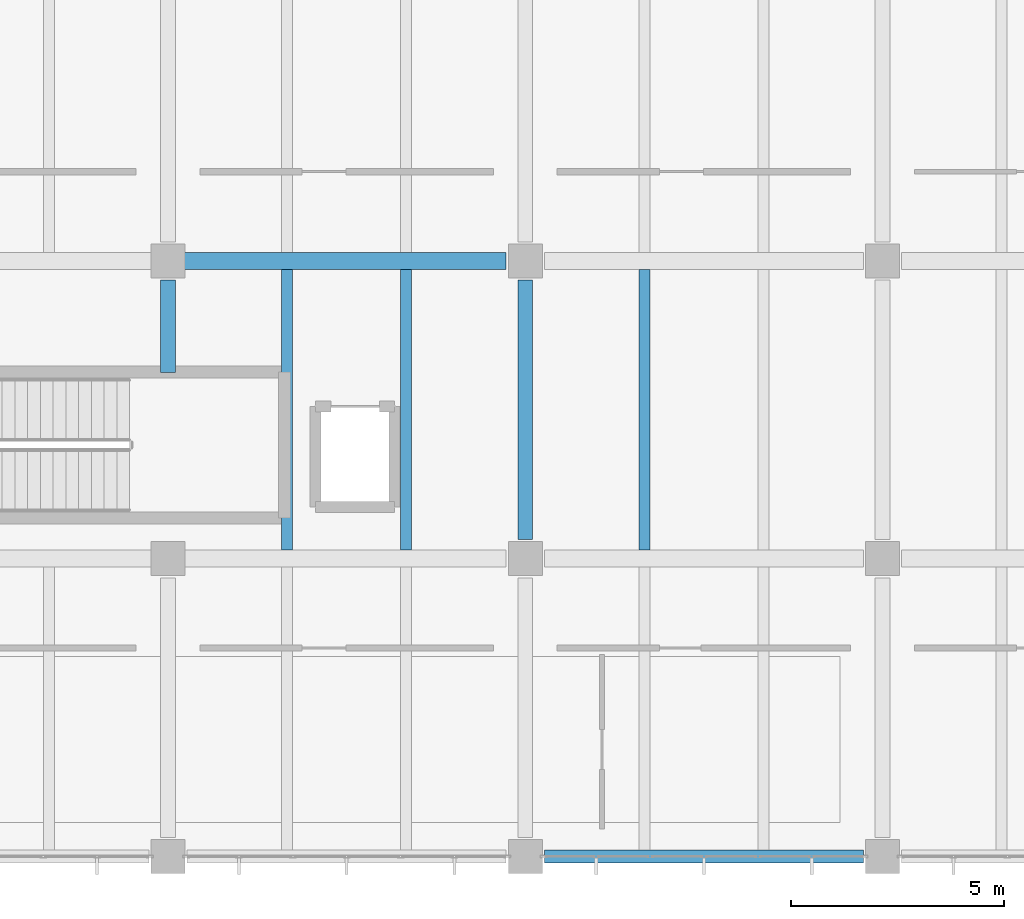
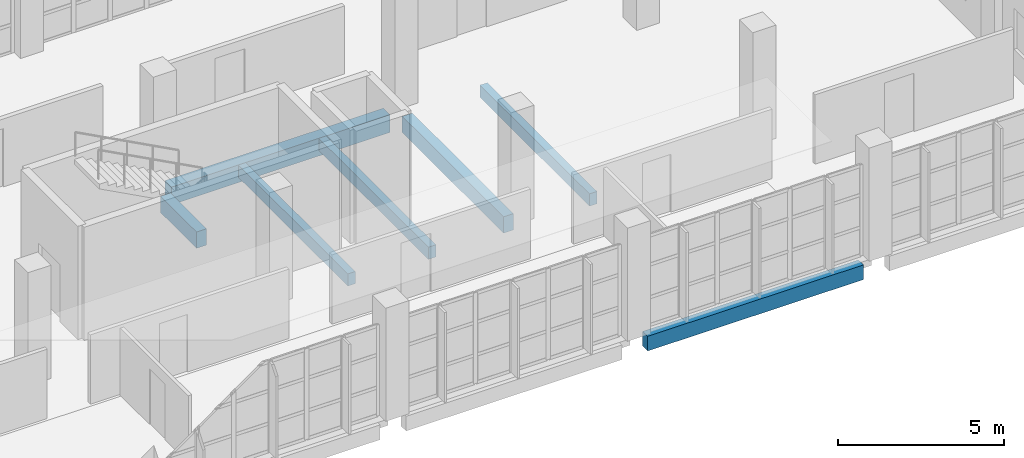
# One storey, part 41 of 177: 7 beams.
"""IFC4 building model written with IfcOpenShell, lengths in metres."""

from ifc_helpers import new_model, si_unit, direction, frame, origin, origin_2d, place, context, subcontext, project, spatial, rectangle, extrude, material, material_profile, profile_set, type_object, element, save


model = new_model("IFC4")

# Units and contexts
model_context = context("Model", 3, precision=1e-05, world=origin(), true_north=direction((0.0, 1.0)))
body_context = subcontext(model_context, "Body", "Model", "MODEL_VIEW")
ifc_project = project(units=[si_unit("LENGTHUNIT", "METRE"), si_unit("AREAUNIT", "SQUARE_METRE"), si_unit("VOLUMEUNIT", "CUBIC_METRE"), si_unit("PLANEANGLEUNIT", "RADIAN"), si_unit("MASSUNIT", "GRAM", prefix="KILO"), si_unit("THERMODYNAMICTEMPERATUREUNIT", "KELVIN"), si_unit("POWERUNIT", "WATT")], contexts=[model_context])

# Site, building, storey
site_placement = place(None, origin())
site = spatial("IfcSite", under=ifc_project, at=site_placement, CompositionType="ELEMENT")
building_placement = place(site_placement, origin())
building = spatial("IfcBuilding", under=site, at=building_placement, Name="Mavoryth Pier Ferry Terminal", CompositionType="ELEMENT")
storey_placement = place(building_placement, frame((0.0, 0.0, 5.43994140625)))
storey = spatial("IfcBuildingStorey", under=building, at=storey_placement, Name="L01", CompositionType="ELEMENT", Elevation=5.43994140625)

# Beams
ifc_material = material(Name="Concrete C35/45", Category="concrete")
ifc_material_profile_1 = material_profile(ifc_material, rectangle(XDim=0.35009765625, YDim=0.60009765625, at=origin_2d()), Name="RC 350x600", Category="concrete")
ifc_profile_set_1 = profile_set([ifc_material_profile_1], Name="Concrete C35/45 - RC 350x600")
beam_type_1 = type_object("IfcBeamType", Name="Girder-RC-350x600", PredefinedType="BEAM", material=ifc_profile_set_1)
beam_1_placement = place(storey_placement, frame((67.199951171875, 11.3798828125, -0.56005859375), z_axis=(0.0, 1.0, 0.0), x_axis=(-1.0, 0.0, 0.0)))
element("IfcBeam", 1, at=beam_1_placement, inside=storey, type_object=beam_type_1, Name="Beam B01-BG08-0544", PredefinedType="BEAM", context=body_context, shape_type="SweptSolid", body=[
    extrude(rectangle(XDim=0.35009765625, YDim=0.60009765625, at=origin_2d()), origin(), (0.0, 0.0, 1.0), 2.170166015625),
])
beam_2_placement = place(storey_placement, frame((75.60009765625, 7.449951171875, -0.56005859375), z_axis=(0.0, 1.0, 0.0), x_axis=(-1.0, 0.0, 0.0)))
element("IfcBeam", 2, at=beam_2_placement, inside=storey, type_object=beam_type_1, Name="Beam B01-BG08-0547", PredefinedType="BEAM", context=body_context, shape_type="SweptSolid", body=[
    extrude(rectangle(XDim=0.35009765625, YDim=0.60009765625, at=origin_2d()), origin(), (0.0, 0.0, 1.0), 6.10009765625),
])
ifc_material_profile_2 = material_profile(ifc_material, rectangle(XDim=0.39990234375, YDim=0.64990234375, at=origin_2d()), Name="RC 400x650", Category="concrete")
ifc_profile_set_2 = profile_set([ifc_material_profile_2], Name="Concrete C35/45 - RC 400x650")
beam_type_2 = type_object("IfcBeamType", Name="Girder-RC-400x650", PredefinedType="BEAM", material=ifc_profile_set_2)
beam_3_placement = place(storey_placement, frame((67.550048828125, 14.0, -0.5849609375), z_axis=(1.0, 0.0, 0.0), x_axis=(0.0, 1.0, 0.0)))
element("IfcBeam", 3, at=beam_3_placement, inside=storey, type_object=beam_type_2, Name="Beam B01-BG05-0525", PredefinedType="BEAM", context=body_context, shape_type="SweptSolid", body=[
    extrude(rectangle(XDim=0.39990234375, YDim=0.64990234375, at=origin_2d()), origin(), (0.0, 0.0, 1.0), 7.599853515625),
])
ifc_material_profile_3 = material_profile(ifc_material, rectangle(XDim=0.260009765625, YDim=0.449951171875, at=origin_2d()), Name="RC 260x450", Category="concrete")
ifc_profile_set_3 = profile_set([ifc_material_profile_3], Name="Concrete C35/45 - RC 260x450")
beam_type_3 = type_object("IfcBeamType", Name="Joist-RC-260x450", PredefinedType="JOIST", material=ifc_profile_set_3)
for number, where, z_axis, x_axis, name in (
    (4, (70.0, 7.199951171875, -0.48486328125), (0.0, 1.0, 0.0), (-1.0, 0.0, 0.0), "Beam B01-BJ03-0571"),
    (5, (72.800048828125, 7.199951171875, -0.48486328125), (0.0, 1.0, 0.0), (-1.0, 0.0, 0.0), "Beam B01-BJ03-0572"),
    (6, (78.39990234375, 7.199951171875, -0.48486328125), (0.0, 1.0, 0.0), (-1.0, 0.0, 0.0), "Beam B01-BJ03-0577"),
):
    element("IfcBeam", number, at=place(storey_placement, frame(where, z_axis=z_axis, x_axis=x_axis)), inside=storey, type_object=beam_type_3, Name=name, PredefinedType="JOIST", context=body_context, shape_type="SweptSolid", body=[
        extrude(rectangle(XDim=0.260009765625, YDim=0.449951171875, at=origin_2d()), origin(), (0.0, 0.0, 1.0), 6.60009765625),
    ])
ifc_material_profile_4 = material_profile(ifc_material, rectangle(XDim=0.300048828125, YDim=0.5400390625, at=origin_2d()), Name="RC 300x540", Category="concrete")
ifc_profile_set_4 = profile_set([ifc_material_profile_4], Name="Concrete C35/45 - RC 300x540")
beam_type_4 = type_object("IfcBeamType", Name="Spandrel-RC-300x540", PredefinedType="SPANDREL", material=ifc_profile_set_4)
beam_4_placement = place(storey_placement, frame((76.050048828125, 0.0, -0.530029296875), z_axis=(1.0, 0.0, 0.0), x_axis=(0.0, 1.0, 0.0)))
element("IfcBeam", 7, at=beam_4_placement, inside=storey, type_object=beam_type_4, Name="Beam B01-SP02-0514", PredefinedType="SPANDREL", context=body_context, shape_type="SweptSolid", body=[
    extrude(rectangle(XDim=0.300048828125, YDim=0.5400390625, at=origin_2d()), origin(), (0.0, 0.0, 1.0), 7.5),
])

save(model, "model.ifc")
